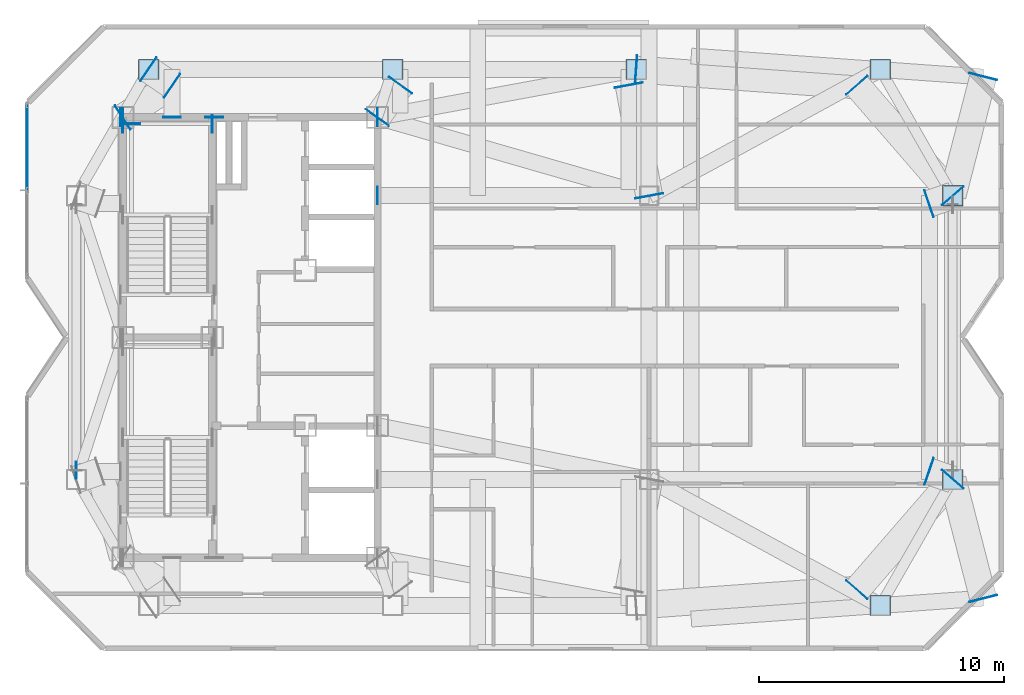
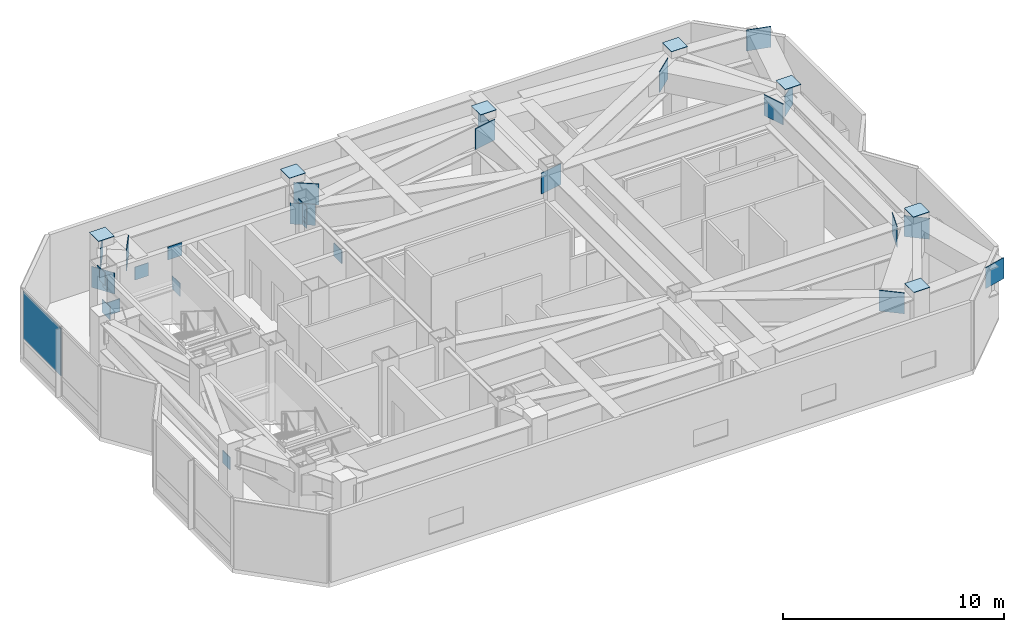
# One storey, part 7 of 15: 37 plates, 1 element without a shape of its own.
"""IFC4 building model written with IfcOpenShell, lengths in metres."""

from ifc_helpers import new_model, si_unit, direction, frame, origin, origin_2d, place, context, subcontext, project, spatial, rectangle, extrude, material, layer, layer_set, type_object, element, aggregate, save


model = new_model("IFC4")

# Units and contexts
model_context = context("Model", 3, precision=1e-05, world=origin(), true_north=direction((0.0, 1.0)))
body_context = subcontext(model_context, "Body", "Model", "MODEL_VIEW")
ifc_project = project(units=[si_unit("LENGTHUNIT", "METRE"), si_unit("AREAUNIT", "SQUARE_METRE"), si_unit("VOLUMEUNIT", "CUBIC_METRE"), si_unit("PLANEANGLEUNIT", "RADIAN"), si_unit("MASSUNIT", "GRAM", prefix="KILO")], contexts=[model_context])

# Site, building, storey
site_placement = place(None, origin())
site = spatial("IfcSite", under=ifc_project, at=site_placement, CompositionType="ELEMENT")
building_placement = place(site_placement, origin())
building = spatial("IfcBuilding", under=site, at=building_placement, Name="Khamvora Tower", CompositionType="ELEMENT")
storey_placement = place(building_placement, frame((0.0, 0.0, 290.449951171875)))
storey = spatial("IfcBuildingStorey", under=building, at=storey_placement, Name="L74", CompositionType="ELEMENT", Elevation=290.449951171875)

# Curtain wall, plate
ifc_material_1 = material(Name="Anodised Aluminium 6063-T6", Category="aluminium")
curtain_wall_type = type_object("IfcCurtainWallType", Name="CW-SYS-06", PredefinedType="NOTDEFINED", material=ifc_material_1)
curtain_wall_placement = place(storey_placement, origin())
curtain_wall = element("IfcCurtainWall", 1, at=curtain_wall_placement, inside=storey, type_object=curtain_wall_type, Name="L74 stick curtain wall 05.1", PredefinedType="NOTDEFINED")
ifc_material_2 = material(Name="Low-E Laminated Double Glazing", Category="glass")
ifc_layer_1 = layer(ifc_material_2, 0.0380859375)
ifc_layer_set_1 = layer_set([ifc_layer_1], Name="Low-E Laminated Double Glazing")
plate_type_1 = type_object("IfcPlateType", Name="CW-SYS-06-PNL", PredefinedType="CURTAIN_PANEL", material=ifc_layer_set_1)
plate_1_placement = place(storey_placement, frame((25.10009765625, 35.7685546875, 1.08984375), z_axis=(0.0, 0.0, 1.0), x_axis=(0.0, 1.0, 0.0)))
plate_1 = element("IfcPlate", 2, at=plate_1_placement, type_object=plate_type_1, Name="CW-06 panel 2.2", PredefinedType="CURTAIN_PANEL", context=body_context, shape_type="SweptSolid", body=[
    extrude(rectangle(XDim=3.4208984375, YDim=0.0380859375, at=origin_2d()), origin(), (0.0, 0.0, 1.0), 2.610107421875),
])
aggregate(curtain_wall, [plate_1])

# Plates
ifc_material_3 = material(Name="Steel S355", Category="steel")
ifc_layer_2 = layer(ifc_material_3, 0.02490234375)
ifc_layer_set_2 = layer_set([ifc_layer_2], Name="Steel S355")
plate_type_2 = type_object("IfcPlateType", Name="PL-CAP-25", PredefinedType="SHEET", material=ifc_layer_set_2)
for number, where, z_axis, x_axis, name in (
    (3, (59.949951171875, 17.050048828125, 4.174560546875), (0.0, 0.0, 1.0), (1.0, 0.0, 0.0), "L74 hollow section steel end cap plate 0317"),
    (4, (30.050048828125, 38.949951171875, 4.174560546875), (0.0, 0.0, 1.0), (1.0, 0.0, 0.0), "L74 hollow section steel end cap plate 0319"),
    (5, (40.02001953125, 38.949951171875, 4.174560546875), (0.0, 0.0, 1.0), (1.0, 0.0, 0.0), "L74 hollow section steel end cap plate 0321"),
    (6, (49.97998046875, 38.949951171875, 4.174560546875), (0.0, 0.0, 1.0), (1.0, 0.0, 0.0), "L74 hollow section steel end cap plate 0323"),
    (7, (59.949951171875, 38.949951171875, 4.174560546875), (0.0, 0.0, 1.0), (1.0, 0.0, 0.0), "L74 hollow section steel end cap plate 0325"),
    (8, (62.89990234375, 22.199951171875, 4.174560546875), (0.0, 0.0, 1.0), (1.0, 0.0, 0.0), "L74 hollow section steel end cap plate 0331"),
    (9, (62.89990234375, 33.800048828125, 4.174560546875), (0.0, 0.0, 1.0), (1.0, 0.0, 0.0), "L74 hollow section steel end cap plate 0333"),
):
    element("IfcPlate", number, at=place(storey_placement, frame(where, z_axis=z_axis, x_axis=x_axis)), inside=storey, type_object=plate_type_2, Name=name, PredefinedType="SHEET", context=body_context, shape_type="SweptSolid", body=[
        extrude(rectangle(XDim=0.830078125, YDim=0.830078125, at=origin_2d()), origin(), (0.0, 0.0, 1.0), 0.02490234375),
    ])
for number, where, z_axis, x_axis, name in (
    (10, (62.907958984375, 22.208984375, 2.64990234375), (0.0, 0.0, 1.0), (-0.654925484014, -0.755693463244, 0.0), "L74 hollow section steel end cap plate 1288"),
    (11, (58.991943359375, 17.69091796875, 2.64990234375), (0.0, 0.0, 1.0), (-0.654925484014, -0.755693463244, 0.0), "L74 hollow section steel end cap plate 1289"),
    (12, (30.0400390625, 38.95703125, 2.64990234375), (0.0, 0.0, 1.0), (0.825310658693, -0.564678950066, 0.0), "L74 hollow section steel end cap plate 1291"),
    (13, (31.010009765625, 38.29296875, 2.64990234375), (0.0, 0.0, 1.0), (0.825310658693, -0.564678950066, 0.0), "L74 hollow section steel end cap plate 1292"),
    (14, (28.989990234375, 36.992919921875, 2.64990234375), (0.0, 0.0, 1.0), (0.83844235651, 0.54499028873, 0.0), "L74 hollow section steel end cap plate 1293"),
    (15, (39.39306640625, 36.989990234375, 2.64990234375), (0.0, 0.0, 1.0), (0.583073388059, 0.812419487788, 0.0), "L74 hollow section steel end cap plate 1294"),
    (16, (40.340087890625, 38.31005859375, 2.64990234375), (0.0, 0.0, 1.0), (0.583073388059, 0.812419487788, 0.0), "L74 hollow section steel end cap plate 1295"),
    (17, (50.501953125, 33.7880859375, 2.64990234375), (0.0, 0.0, 1.0), (-0.182012427341, 0.983296230184, 0.0), "L74 hollow section steel end cap plate 1296"),
    (18, (49.6650390625, 38.31201171875, 2.64990234375), (0.0, 0.0, 1.0), (-0.182012427341, 0.983296230184, 0.0), "L74 hollow section steel end cap plate 1297"),
    (19, (62.907958984375, 33.791015625, 2.64990234375), (0.0, 0.0, 1.0), (-0.654925484014, 0.755693463244, 0.0), "L74 hollow section steel end cap plate 1298"),
    (20, (58.991943359375, 38.30908203125, 2.64990234375), (0.0, 0.0, 1.0), (-0.654925484014, 0.755693463244, 0.0), "L74 hollow section steel end cap plate 1299"),
    (21, (49.970947265625, 38.950927734375, 2.64990234375), (0.0, 0.0, 1.0), (0.997412001653, -0.071897836954, 0.0), "L74 hollow section steel end cap plate 1300"),
    (22, (61.93798828125, 22.529052734375, 2.64990234375), (0.0, 0.0, 1.0), (-0.94616447854, 0.323686236267, 0.0), "L74 hollow section steel end cap plate 1305"),
    (23, (61.93798828125, 33.470947265625, 2.64990234375), (0.0, 0.0, 1.0), (-0.94616447854, -0.323686236267, 0.0), "L74 hollow section steel end cap plate 1306"),
    (24, (64.153076171875, 17.337890625, 2.64990234375), (0.0, 0.0, 1.0), (0.249568842816, -0.968357058474, 0.0), "L74 hollow section steel end cap plate 1307"),
    (25, (64.153076171875, 38.662109375, 2.64990234375), (0.0, 0.0, 1.0), (0.249568842816, 0.968357058474, 0.0), "L74 hollow section steel end cap plate 1308"),
):
    element("IfcPlate", number, at=place(storey_placement, frame(where, z_axis=z_axis, x_axis=x_axis)), inside=storey, type_object=plate_type_2, Name=name, PredefinedType="SHEET", context=body_context, shape_type="SweptSolid", body=[
        extrude(rectangle(XDim=0.02490234375, YDim=1.159912109375, at=origin_2d()), origin(), (0.0, 0.0, 1.0), 1.159912109375),
    ])
ifc_material_4 = material(Name="Steel S460", Category="steel")
ifc_layer_3 = layer(ifc_material_4, 0.034912109375)
ifc_layer_set_3 = layer_set([ifc_layer_3], Name="Steel S460")
plate_type_3 = type_object("IfcPlateType", Name="PL-EMB-35", PredefinedType="SHEET", material=ifc_layer_set_3)
for number, where, z_axis, x_axis, name in (
    (26, (29.0, 36.72998046875, 1.4091796875), (0.0, 0.0, 1.0), (1.0, 0.0, 0.0), "L74 core shear wall cast-in embed plate 2166"),
    (27, (32.64990234375, 36.72998046875, 1.4091796875), (0.0, 0.0, 1.0), (1.0, 0.0, 0.0), "L74 core shear wall cast-in embed plate 2167"),
):
    element("IfcPlate", number, at=place(storey_placement, frame(where, z_axis=z_axis, x_axis=x_axis)), inside=storey, type_object=plate_type_3, Name=name, PredefinedType="SHEET", context=body_context, shape_type="SweptSolid", body=[
        extrude(rectangle(XDim=0.034912109375, YDim=0.719970703125, at=origin_2d()), origin(), (0.0, 0.0, 1.0), 0.719970703125),
    ])
plate_2_placement = place(storey_placement, frame((29.35009765625, 36.72998046875, 1.4091796875), z_axis=(0.0, 0.0, 1.0), x_axis=(1.0, 0.0, 0.0)))
element("IfcPlate", 28, at=plate_2_placement, inside=storey, type_object=plate_type_3, Name="L74 core shear wall cast-in embed plate 2168", PredefinedType="SHEET", context=body_context, shape_type="SweptSolid", body=[
    extrude(rectangle(XDim=0.719970703125, YDim=0.034912109375, at=origin_2d()), origin(), (0.0, 0.0, 1.0), 0.719970703125),
])
for number, where, z_axis, x_axis, name in (
    (29, (39.39990234375, 33.800048828125, 2.64501953125), (0.0, 0.0, 1.0), (1.0, 0.0, 0.0), "L74 core shear wall cast-in embed plate 2170"),
    (30, (39.39990234375, 37.0, 2.9541015625), (0.0, 0.0, 1.0), (1.0, 0.0, 0.0), "L74 core shear wall cast-in embed plate 2172"),
    (31, (39.39990234375, 37.0, 2.64501953125), (0.0, 0.0, 1.0), (1.0, 0.0, 0.0), "L74 core shear wall cast-in embed plate 2175"),
    (32, (28.89990234375, 37.0, 3.154296875), (0.0, 0.0, 1.0), (1.0, 0.0, 0.0), "L74 core shear wall cast-in embed plate 2178"),
):
    element("IfcPlate", number, at=place(storey_placement, frame(where, z_axis=z_axis, x_axis=x_axis)), inside=storey, type_object=plate_type_3, Name=name, PredefinedType="SHEET", context=body_context, shape_type="SweptSolid", body=[
        extrude(rectangle(XDim=0.034912109375, YDim=0.719970703125, at=origin_2d()), origin(), (0.0, 0.0, 1.0), 0.719970703125),
    ])
plate_3_placement = place(storey_placement, frame((32.72998046875, 37.0, 3.154296875), z_axis=(0.0, 0.0, 1.0), x_axis=(1.0, 0.0, 0.0)))
element("IfcPlate", 33, at=plate_3_placement, inside=storey, type_object=plate_type_3, Name="L74 core shear wall cast-in embed plate 2181", PredefinedType="SHEET", context=body_context, shape_type="SweptSolid", body=[
    extrude(rectangle(XDim=0.719970703125, YDim=0.034912109375, at=origin_2d()), origin(), (0.0, 0.0, 1.0), 0.719970703125),
])
plate_4_placement = place(storey_placement, frame((39.39990234375, 37.0, 3.154296875), z_axis=(0.0, 0.0, 1.0), x_axis=(1.0, 0.0, 0.0)))
element("IfcPlate", 34, at=plate_4_placement, inside=storey, type_object=plate_type_3, Name="L74 core shear wall cast-in embed plate 2184", PredefinedType="SHEET", context=body_context, shape_type="SweptSolid", body=[
    extrude(rectangle(XDim=0.034912109375, YDim=0.719970703125, at=origin_2d()), origin(), (0.0, 0.0, 1.0), 0.719970703125),
])
plate_5_placement = place(storey_placement, frame((31.0, 37.0, 2.64501953125), z_axis=(0.0, 0.0, 1.0), x_axis=(1.0, 0.0, 0.0)))
element("IfcPlate", 35, at=plate_5_placement, inside=storey, type_object=plate_type_3, Name="L74 core shear wall cast-in embed plate 2191", PredefinedType="SHEET", context=body_context, shape_type="SweptSolid", body=[
    extrude(rectangle(XDim=0.719970703125, YDim=0.034912109375, at=origin_2d()), origin(), (0.0, 0.0, 1.0), 0.719970703125),
])
for number, where, z_axis, x_axis, name in (
    (36, (29.0, 37.0, 2.8701171875), (0.0, 0.0, 1.0), (1.0, 0.0, 0.0), "L74 core shear wall cast-in embed plate 2196"),
    (37, (39.39990234375, 37.0, 2.8701171875), (0.0, 0.0, 1.0), (1.0, 0.0, 0.0), "L74 core shear wall cast-in embed plate 2197"),
):
    element("IfcPlate", number, at=place(storey_placement, frame(where, z_axis=z_axis, x_axis=x_axis)), inside=storey, type_object=plate_type_3, Name=name, PredefinedType="SHEET", context=body_context, shape_type="SweptSolid", body=[
        extrude(rectangle(XDim=0.034912109375, YDim=0.719970703125, at=origin_2d()), origin(), (0.0, 0.0, 1.0), 0.719970703125),
    ])
ifc_layer_4 = layer(ifc_material_4, 0.0400390625)
ifc_layer_set_4 = layer_set([ifc_layer_4], Name="Steel S460")
plate_type_4 = type_object("IfcPlateType", Name="PLT-GUS-40", PredefinedType="SHEET", material=ifc_layer_set_4)
plate_6_placement = place(storey_placement, frame((27.10009765625, 22.5791015625, 2.3671875), z_axis=(0.0, 0.0, 1.0), x_axis=(0.0, 1.0, 0.0)))
element("IfcPlate", 38, at=plate_6_placement, inside=storey, type_object=plate_type_4, Name="L74 brace connection node gusset plate 0453", PredefinedType="SHEET", context=body_context, shape_type="SweptSolid", body=[
    extrude(rectangle(XDim=0.679931640625, YDim=0.0400390625, at=origin_2d()), origin(), (0.0, 0.0, 1.0), 0.679931640625),
])

save(model, "model.ifc")
